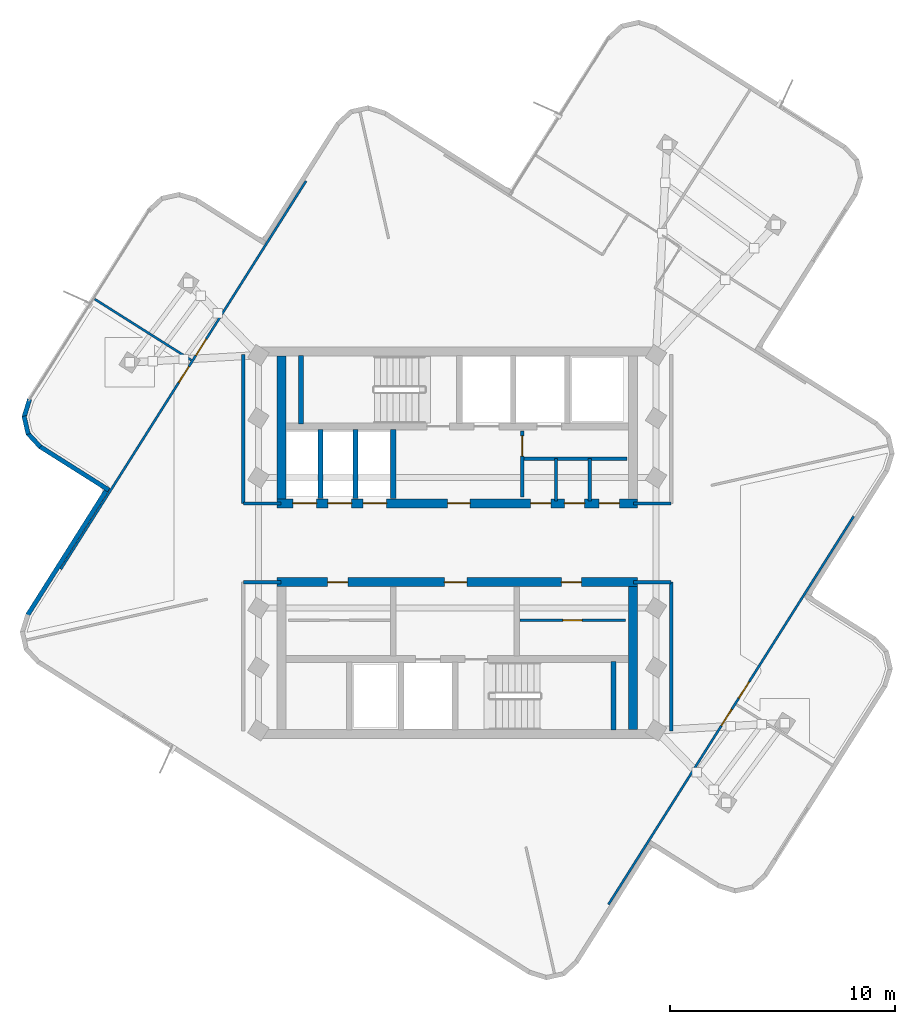
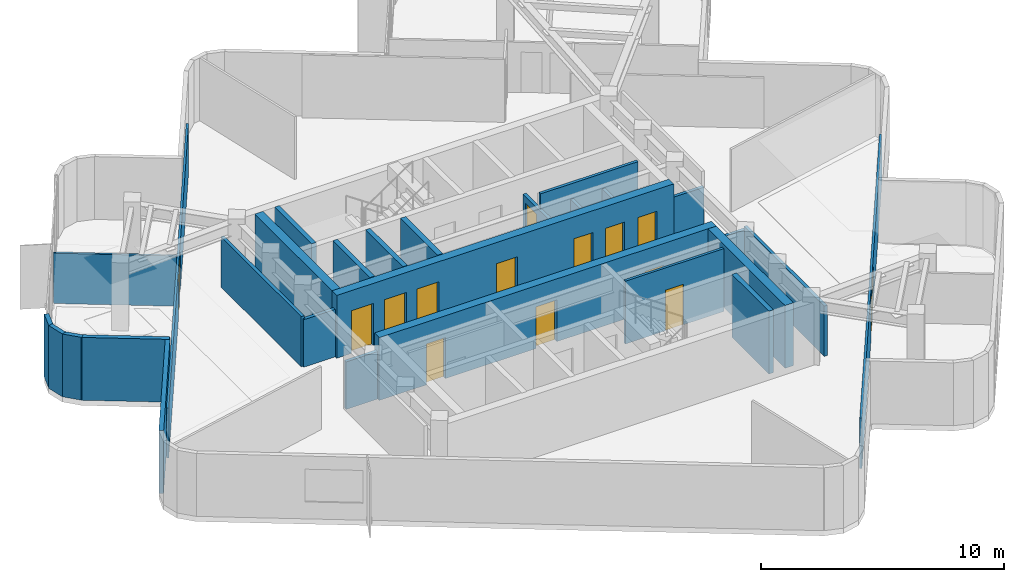
# One storey, part 6 of 10: 28 walls, 16 doors, 16 openings.
"""IFC4 building model written with IfcOpenShell, lengths in metres."""

from ifc_helpers import new_model, si_unit, direction, frame, frame_2d, origin, place, context, subcontext, project, spatial, rectangle, extrude, material, layer, layer_set, type_object, element, fill, save


model = new_model("IFC4")

# Units and contexts
model_context = context("Model", 3, precision=1e-05, world=origin(), true_north=direction((0.0, 1.0)))
body_context = subcontext(model_context, "Body", "Model", "MODEL_VIEW")
ifc_project = project(units=[si_unit("LENGTHUNIT", "METRE"), si_unit("AREAUNIT", "SQUARE_METRE"), si_unit("VOLUMEUNIT", "CUBIC_METRE"), si_unit("PLANEANGLEUNIT", "RADIAN"), si_unit("MASSUNIT", "GRAM", prefix="KILO")], contexts=[model_context])

# Site, building, storey
site_placement = place(None, origin())
site = spatial("IfcSite", under=ifc_project, at=site_placement, CompositionType="ELEMENT")
building_placement = place(site_placement, origin())
building = spatial("IfcBuilding", under=site, at=building_placement, Name="Solmarez Civic Tower", CompositionType="ELEMENT")
storey_placement = place(building_placement, frame((0.0, 0.0, 274.860107421875)))
storey = spatial("IfcBuildingStorey", under=building, at=storey_placement, Name="L74", CompositionType="ELEMENT", Elevation=274.860107421875)

# Wall, openings, doors
ifc_material_1 = material(Name="Concrete C50/60", Category="concrete")
ifc_layer_1 = layer(ifc_material_1, 0.39990234375)
ifc_layer_set_1 = layer_set([ifc_layer_1], Name="Concrete C50/60")
wall_type_1 = type_object("IfcWallType", Name="WALL-CORE-400", PredefinedType="SHEAR", material=ifc_layer_set_1)
wall_1_placement = place(storey_placement, frame((8.02001953125, 1.75, 0.0), z_axis=(0.0, 0.0, 1.0), x_axis=(-1.0, 0.0, 0.0)))
wall_1 = element("IfcWall", 1, at=wall_1_placement, inside=storey, type_object=wall_type_1, Name="L74 Split-Core Structural Wall NCW-S-L74", PredefinedType="SHEAR", context=body_context, shape_type="SweptSolid", body=[
    extrude(rectangle(XDim=16.0400390625, YDim=0.39990234375, at=frame_2d((8.02001953125, 0.0))), origin(), (0.0, 0.0, 1.0), 3.159912109375),
])
opening_1_placement = place(wall_1_placement, frame((7.449951171875, 0.0, 0.0)))
opening_1 = element("IfcOpeningElement", 2, at=opening_1_placement, cuts=wall_1, Name="Opening D-04", PredefinedType="OPENING", context=body_context, shape_type="SweptSolid", body=[
    extrude(rectangle(XDim=1.0, YDim=2.10009765625, at=frame_2d((0.5, 1.050048828125))), frame((0.0, 0.2099609375, 0.0), z_axis=(0.0, -1.0, 0.0), x_axis=(1.0, 0.0, 0.0)), (0.0, 0.0, 1.0), 0.419921875),
])
opening_2_placement = place(wall_1_placement, frame((14.284912109375, 0.0, 0.0)))
opening_2 = element("IfcOpeningElement", 3, at=opening_2_placement, cuts=wall_1, Name="Opening LD-01", PredefinedType="OPENING", context=body_context, shape_type="SweptSolid", body=[
    extrude(rectangle(XDim=1.050048828125, YDim=2.14990234375, at=frame_2d((0.52490234375, 1.074951171875))), frame((0.0, 0.2099609375, 0.0), z_axis=(0.0, -1.0, 0.0), x_axis=(1.0, 0.0, 0.0)), (0.0, 0.0, 1.0), 0.419921875),
])
opening_3_placement = place(wall_1_placement, frame((12.72509765625, 0.0, 0.0)))
opening_3 = element("IfcOpeningElement", 4, at=opening_3_placement, cuts=wall_1, Name="Opening LD-01", PredefinedType="OPENING", context=body_context, shape_type="SweptSolid", body=[
    extrude(rectangle(XDim=1.050048828125, YDim=2.14990234375, at=frame_2d((0.52490234375, 1.074951171875))), frame((0.0, 0.2099609375, 0.0), z_axis=(0.0, -1.0, 0.0), x_axis=(1.0, 0.0, 0.0)), (0.0, 0.0, 1.0), 0.419921875),
])
opening_4_placement = place(wall_1_placement, frame((11.1650390625, 0.0, 0.0)))
opening_4 = element("IfcOpeningElement", 5, at=opening_4_placement, cuts=wall_1, Name="Opening LD-01", PredefinedType="OPENING", context=body_context, shape_type="SweptSolid", body=[
    extrude(rectangle(XDim=1.050048828125, YDim=2.14990234375, at=frame_2d((0.52490234375, 1.074951171875))), frame((0.0, 0.2099609375, 0.0), z_axis=(0.0, -1.0, 0.0), x_axis=(1.0, 0.0, 0.0)), (0.0, 0.0, 1.0), 0.419921875),
])
opening_5_placement = place(wall_1_placement, frame((3.85009765625, 0.0, 0.0)))
opening_5 = element("IfcOpeningElement", 6, at=opening_5_placement, cuts=wall_1, Name="Opening D-09", PredefinedType="OPENING", context=body_context, shape_type="SweptSolid", body=[
    extrude(rectangle(XDim=0.89990234375, YDim=2.06005859375, at=frame_2d((0.449951171875, 1.030029296875))), frame((0.0, 0.2099609375, 0.0), z_axis=(0.0, -1.0, 0.0), x_axis=(1.0, 0.0, 0.0)), (0.0, 0.0, 1.0), 0.419921875),
])
opening_6_placement = place(wall_1_placement, frame((2.35009765625, 0.0, 0.0)))
opening_6 = element("IfcOpeningElement", 7, at=opening_6_placement, cuts=wall_1, Name="Opening D-09", PredefinedType="OPENING", context=body_context, shape_type="SweptSolid", body=[
    extrude(rectangle(XDim=0.89990234375, YDim=2.06005859375, at=frame_2d((0.449951171875, 1.030029296875))), frame((0.0, 0.2099609375, 0.0), z_axis=(0.0, -1.0, 0.0), x_axis=(1.0, 0.0, 0.0)), (0.0, 0.0, 1.0), 0.419921875),
])
opening_7_placement = place(wall_1_placement, frame((0.800048828125, 0.0, 0.0)))
opening_7 = element("IfcOpeningElement", 8, at=opening_7_placement, cuts=wall_1, Name="Opening D-09", PredefinedType="OPENING", context=body_context, shape_type="SweptSolid", body=[
    extrude(rectangle(XDim=0.89990234375, YDim=2.06005859375, at=frame_2d((0.449951171875, 1.030029296875))), frame((0.0, 0.2099609375, 0.0), z_axis=(0.0, -1.0, 0.0), x_axis=(1.0, 0.0, 0.0)), (0.0, 0.0, 1.0), 0.419921875),
])
ifc_material_2 = material(Name="Steel-Faced Acoustic Fire Door", Category="steel")
door_type_1 = type_object("IfcDoorType", Name="DOOR-FD60-1000", OperationType="NOTDEFINED", PredefinedType="DOOR", material=ifc_material_2)
door_1_placement = place(opening_1_placement, origin())
door_1 = element("IfcDoor", 9, at=door_1_placement, inside=storey, type_object=door_type_1, Name="L74 North Firefighting Lobby Door", OperationType="SINGLE_SWING_LEFT", OverallHeight=2.10009765625, OverallWidth=1.0, PredefinedType="DOOR", context=body_context, shape_type="SweptSolid", body=[
    extrude(rectangle(XDim=1.0, YDim=2.10009765625, at=frame_2d((0.5, 1.050048828125))), frame((0.0, 0.02490234375, 0.0), z_axis=(0.0, -1.0, 0.0), x_axis=(1.0, 0.0, 0.0)), (0.0, 0.0, 1.0), 0.050048828125),
])
fill(opening_1, door_1)
ifc_material_3 = material(Name="Fire-Rated Service Core Door", Category="wood")
door_type_2 = type_object("IfcDoorType", Name="DOOR-FD60-900", OperationType="NOTDEFINED", PredefinedType="DOOR", material=ifc_material_3)
door_2_placement = place(opening_5_placement, origin())
door_2 = element("IfcDoor", 10, at=door_2_placement, inside=storey, type_object=door_type_2, Name="L74 Core WC Door", OperationType="SINGLE_SWING_RIGHT", OverallHeight=2.06005859375, OverallWidth=0.89990234375, PredefinedType="DOOR", context=body_context, shape_type="SweptSolid", body=[
    extrude(rectangle(XDim=0.89990234375, YDim=2.06005859375, at=frame_2d((0.449951171875, 1.030029296875))), frame((0.0, 0.02490234375, 0.0), z_axis=(0.0, -1.0, 0.0), x_axis=(1.0, 0.0, 0.0)), (0.0, 0.0, 1.0), 0.050048828125),
])
fill(opening_5, door_2)
door_3_placement = place(opening_6_placement, origin())
door_3 = element("IfcDoor", 11, at=door_3_placement, inside=storey, type_object=door_type_2, Name="L74 Core CL Door", OperationType="SINGLE_SWING_LEFT", OverallHeight=2.06005859375, OverallWidth=0.89990234375, PredefinedType="DOOR", context=body_context, shape_type="SweptSolid", body=[
    extrude(rectangle(XDim=0.89990234375, YDim=2.06005859375, at=frame_2d((0.449951171875, 1.030029296875))), frame((0.0, 0.02490234375, 0.0), z_axis=(0.0, -1.0, 0.0), x_axis=(1.0, 0.0, 0.0)), (0.0, 0.0, 1.0), 0.050048828125),
])
fill(opening_6, door_3)
door_4_placement = place(opening_7_placement, origin())
door_4 = element("IfcDoor", 12, at=door_4_placement, inside=storey, type_object=door_type_2, Name="L74 Core IT Door", OperationType="SINGLE_SWING_LEFT", OverallHeight=2.06005859375, OverallWidth=0.89990234375, PredefinedType="DOOR", context=body_context, shape_type="SweptSolid", body=[
    extrude(rectangle(XDim=0.89990234375, YDim=2.06005859375, at=frame_2d((0.449951171875, 1.030029296875))), frame((0.0, 0.02490234375, 0.0), z_axis=(0.0, -1.0, 0.0), x_axis=(1.0, 0.0, 0.0)), (0.0, 0.0, 1.0), 0.050048828125),
])
fill(opening_7, door_4)
ifc_material_4 = material(Name="Bronze Passenger Lift Landing Sliding Door", Category="aluminium")
door_type_3 = type_object("IfcDoorType", Name="DOOR-LD-PAX-1050", OperationType="DOUBLE_DOOR_SLIDING", PredefinedType="DOOR", material=ifc_material_4)
door_5_placement = place(opening_2_placement, origin())
door_5 = element("IfcDoor", 13, at=door_5_placement, inside=storey, type_object=door_type_3, Name="L74 High-Rise Lift Landing Door PL-H1", OperationType="DOUBLE_DOOR_SLIDING", OverallHeight=2.14990234375, OverallWidth=1.050048828125, PredefinedType="DOOR", context=body_context, shape_type="SweptSolid", body=[
    extrude(rectangle(XDim=1.050048828125, YDim=2.14990234375, at=frame_2d((0.52490234375, 1.074951171875))), frame((0.0, 0.02490234375, 0.0), z_axis=(0.0, -1.0, 0.0), x_axis=(1.0, 0.0, 0.0)), (0.0, 0.0, 1.0), 0.050048828125),
])
fill(opening_2, door_5)
door_6_placement = place(opening_3_placement, origin())
door_6 = element("IfcDoor", 14, at=door_6_placement, inside=storey, type_object=door_type_3, Name="L74 High-Rise Lift Landing Door PL-H2", OperationType="DOUBLE_DOOR_SLIDING", OverallHeight=2.14990234375, OverallWidth=1.050048828125, PredefinedType="DOOR", context=body_context, shape_type="SweptSolid", body=[
    extrude(rectangle(XDim=1.050048828125, YDim=2.14990234375, at=frame_2d((0.52490234375, 1.074951171875))), frame((0.0, 0.02490234375, 0.0), z_axis=(0.0, -1.0, 0.0), x_axis=(1.0, 0.0, 0.0)), (0.0, 0.0, 1.0), 0.050048828125),
])
fill(opening_3, door_6)
door_7_placement = place(opening_4_placement, origin())
door_7 = element("IfcDoor", 15, at=door_7_placement, inside=storey, type_object=door_type_3, Name="L74 High-Rise Lift Landing Door PL-H3", OperationType="DOUBLE_DOOR_SLIDING", OverallHeight=2.14990234375, OverallWidth=1.050048828125, PredefinedType="DOOR", context=body_context, shape_type="SweptSolid", body=[
    extrude(rectangle(XDim=1.050048828125, YDim=2.14990234375, at=frame_2d((0.52490234375, 1.074951171875))), frame((0.0, 0.02490234375, 0.0), z_axis=(0.0, -1.0, 0.0), x_axis=(1.0, 0.0, 0.0)), (0.0, 0.0, 1.0), 0.050048828125),
])
fill(opening_4, door_7)

# Wall
wall_2_placement = place(storey_placement, frame((-7.820068359375, 1.949951171875, 0.0), z_axis=(0.0, 0.0, 1.0), x_axis=(0.0, 1.0, 0.0)))
element("IfcWall", 16, at=wall_2_placement, inside=storey, type_object=wall_type_1, Name="L74 Split-Core Structural Wall NCW-W-L74", PredefinedType="SHEAR", context=body_context, shape_type="SweptSolid", body=[
    extrude(rectangle(XDim=6.360107421875, YDim=0.39990234375, at=frame_2d((3.18017578125, 0.0))), origin(), (0.0, 0.0, 1.0), 3.159912109375),
])

# Wall, openings, doors
wall_3_placement = place(storey_placement, frame((-8.02001953125, -1.75, 0.0), z_axis=(0.0, 0.0, 1.0), x_axis=(1.0, 0.0, 0.0)))
wall_3 = element("IfcWall", 17, at=wall_3_placement, inside=storey, type_object=wall_type_1, Name="L74 Split-Core Structural Wall SCW-N-L74", PredefinedType="SHEAR", context=body_context, shape_type="SweptSolid", body=[
    extrude(rectangle(XDim=16.0400390625, YDim=0.39990234375, at=frame_2d((8.02001953125, 0.0))), origin(), (0.0, 0.0, 1.0), 3.159912109375),
])
opening_8_placement = place(wall_3_placement, frame((7.449951171875, 0.0, 0.0)))
opening_8 = element("IfcOpeningElement", 18, at=opening_8_placement, cuts=wall_3, Name="Opening D-04", PredefinedType="OPENING", context=body_context, shape_type="SweptSolid", body=[
    extrude(rectangle(XDim=1.0, YDim=2.10009765625, at=frame_2d((0.5, 1.050048828125))), frame((0.0, 0.2099609375, 0.0), z_axis=(0.0, -1.0, 0.0), x_axis=(1.0, 0.0, 0.0)), (0.0, 0.0, 1.0), 0.419921875),
])
opening_9_placement = place(wall_3_placement, frame((12.64990234375, 0.0, 0.0)))
opening_9 = element("IfcOpeningElement", 19, at=opening_9_placement, cuts=wall_3, Name="Opening D-09", PredefinedType="OPENING", context=body_context, shape_type="SweptSolid", body=[
    extrude(rectangle(XDim=0.89990234375, YDim=2.06005859375, at=frame_2d((0.449951171875, 1.030029296875))), frame((0.0, 0.2099609375, 0.0), z_axis=(0.0, -1.0, 0.0), x_axis=(1.0, 0.0, 0.0)), (0.0, 0.0, 1.0), 0.419921875),
])
opening_10_placement = place(wall_3_placement, frame((2.25, 0.0, 0.0)))
opening_10 = element("IfcOpeningElement", 20, at=opening_10_placement, cuts=wall_3, Name="Opening D-09", PredefinedType="OPENING", context=body_context, shape_type="SweptSolid", body=[
    extrude(rectangle(XDim=0.89990234375, YDim=2.06005859375, at=frame_2d((0.449951171875, 1.030029296875))), frame((0.0, 0.2099609375, 0.0), z_axis=(0.0, -1.0, 0.0), x_axis=(1.0, 0.0, 0.0)), (0.0, 0.0, 1.0), 0.419921875),
])
door_8_placement = place(opening_8_placement, origin())
door_8 = element("IfcDoor", 21, at=door_8_placement, inside=storey, type_object=door_type_1, Name="L74 South Firefighting Lobby Door", OperationType="SINGLE_SWING_RIGHT", OverallHeight=2.10009765625, OverallWidth=1.0, PredefinedType="DOOR", context=body_context, shape_type="SweptSolid", body=[
    extrude(rectangle(XDim=1.0, YDim=2.10009765625, at=frame_2d((0.5, 1.050048828125))), frame((0.0, 0.02490234375, 0.0), z_axis=(0.0, -1.0, 0.0), x_axis=(1.0, 0.0, 0.0)), (0.0, 0.0, 1.0), 0.050048828125),
])
fill(opening_8, door_8)
door_9_placement = place(opening_9_placement, origin())
door_9 = element("IfcDoor", 22, at=door_9_placement, inside=storey, type_object=door_type_2, Name="L74 Freed Hoistway Mailroom Door", OperationType="SINGLE_SWING_LEFT", OverallHeight=2.06005859375, OverallWidth=0.89990234375, PredefinedType="DOOR", context=body_context, shape_type="SweptSolid", body=[
    extrude(rectangle(XDim=0.89990234375, YDim=2.06005859375, at=frame_2d((0.449951171875, 1.030029296875))), frame((0.0, 0.02490234375, 0.0), z_axis=(0.0, -1.0, 0.0), x_axis=(1.0, 0.0, 0.0)), (0.0, 0.0, 1.0), 0.050048828125),
])
fill(opening_9, door_9)
door_10_placement = place(opening_10_placement, origin())
door_10 = element("IfcDoor", 23, at=door_10_placement, inside=storey, type_object=door_type_2, Name="L74 Staff Kitchenette Pantry Door", OperationType="SINGLE_SWING_RIGHT", OverallHeight=2.06005859375, OverallWidth=0.89990234375, PredefinedType="DOOR", context=body_context, shape_type="SweptSolid", body=[
    extrude(rectangle(XDim=0.89990234375, YDim=2.06005859375, at=frame_2d((0.449951171875, 1.030029296875))), frame((0.0, 0.02490234375, 0.0), z_axis=(0.0, -1.0, 0.0), x_axis=(1.0, 0.0, 0.0)), (0.0, 0.0, 1.0), 0.050048828125),
])
fill(opening_10, door_10)

# Walls
wall_4_placement = place(storey_placement, frame((7.820068359375, -1.949951171875, 0.0), z_axis=(0.0, 0.0, 1.0), x_axis=(0.0, -1.0, 0.0)))
element("IfcWall", 24, at=wall_4_placement, inside=storey, type_object=wall_type_1, Name="L74 Split-Core Structural Wall SCW-E-L74", PredefinedType="SHEAR", context=body_context, shape_type="SweptSolid", body=[
    extrude(rectangle(XDim=6.360107421875, YDim=0.39990234375, at=frame_2d((3.18017578125, 0.0))), origin(), (0.0, 0.0, 1.0), 3.159912109375),
])
ifc_material_5 = material(Name="Precast concrete C40/50", Category="concrete")
ifc_layer_2 = layer(ifc_material_5, 0.199951171875)
ifc_layer_set_2 = layer_set([ifc_layer_2], Name="Precast concrete C40/50")
wall_type_2 = type_object("IfcWallType", Name="WALL-EXT-200", PredefinedType="SOLIDWALL", material=ifc_layer_set_2)
wall_5_placement = place(storey_placement, frame((-19.138916015625, -3.240966796875, 0.0), z_axis=(0.0, 0.0, 1.0), x_axis=(0.534084270085, 0.845431246435, 0.0)))
element("IfcWall", 25, at=wall_5_placement, inside=storey, type_object=wall_type_2, Name="L74 Exterior Precast Wall 10", PredefinedType="SOLIDWALL", context=body_context, shape_type="SweptSolid", body=[
    extrude(rectangle(XDim=6.741943359375, YDim=0.199951171875, at=frame_2d((3.37109375, 0.0))), origin(), (0.0, 0.0, 1.0), 3.159912109375),
])
wall_6_placement = place(storey_placement, frame((-15.512939453125, 2.347900390625, 0.0), z_axis=(0.0, 0.0, 1.0), x_axis=(-0.8454427056, 0.534066130313, 0.0)))
element("IfcWall", 26, at=wall_6_placement, inside=storey, type_object=wall_type_2, Name="L74 Exterior Precast Wall 13", PredefinedType="SOLIDWALL", context=body_context, shape_type="SweptSolid", body=[
    extrude(rectangle(XDim=3.64208984375, YDim=0.199951171875, at=frame_2d((1.821044921875, 0.0))), origin(), (0.0, 0.0, 1.0), 3.159912109375),
])
wall_7_placement = place(storey_placement, frame((-18.553955078125, 4.261962890625, 0.0), z_axis=(0.0, 0.0, 1.0), x_axis=(-0.679187212508, 0.73396507435, 0.0)))
element("IfcWall", 27, at=wall_7_placement, inside=storey, type_object=wall_type_2, Name="L74 Exterior Precast Wall 14", PredefinedType="SOLIDWALL", context=body_context, shape_type="SweptSolid", body=[
    extrude(rectangle(XDim=0.837890625, YDim=0.199951171875, at=frame_2d((0.4189453125, 0.0))), origin(), (0.0, 0.0, 1.0), 3.159912109375),
])
wall_8_placement = place(storey_placement, frame((-19.10009765625, 4.8349609375, 0.0), z_axis=(0.0, 0.0, 1.0), x_axis=(-0.222043922605, 0.975036664149, 0.0)))
element("IfcWall", 28, at=wall_8_placement, inside=storey, type_object=wall_type_2, Name="L74 Exterior Precast Wall 15", PredefinedType="SOLIDWALL", context=body_context, shape_type="SweptSolid", body=[
    extrude(rectangle(XDim=0.823486328125, YDim=0.199951171875, at=frame_2d((0.41162109375, 0.0))), origin(), (0.0, 0.0, 1.0), 3.159912109375),
])
wall_9_placement = place(storey_placement, frame((-19.283935546875, 5.590087890625, 0.0), z_axis=(0.0, 0.0, 1.0), x_axis=(0.295803919306, 0.955248680357, 0.0)))
element("IfcWall", 29, at=wall_9_placement, inside=storey, type_object=wall_type_2, Name="L74 Exterior Precast Wall 16", PredefinedType="SOLIDWALL", context=body_context, shape_type="SweptSolid", body=[
    extrude(rectangle(XDim=0.838623046875, YDim=0.199951171875, at=frame_2d((0.41943359375, 0.0))), origin(), (0.0, 0.0, 1.0), 3.159912109375),
])
ifc_material_6 = material(Name="Gypsum Board Acoustic Steel-Stud Partition", Category="steel")
ifc_layer_3 = layer(ifc_material_6, 0.14990234375)
ifc_layer_set_3 = layer_set([ifc_layer_3], Name="Gypsum Board Acoustic Steel-Stud Partition")
wall_type_3 = type_object("IfcWallType", Name="WALL-INT-FIRE-150", PredefinedType="PARTITIONING", material=ifc_layer_set_3)
wall_10_placement = place(storey_placement, frame((-9.52001953125, 1.75, 0.0), z_axis=(0.0, 0.0, 1.0), x_axis=(0.0, 1.0, 0.0)))
element("IfcWall", 30, at=wall_10_placement, inside=storey, type_object=wall_type_3, Name="L74 Interior Partition CHW-L74-WN1", PredefinedType="PARTITIONING", context=body_context, shape_type="SweptSolid", body=[
    extrude(rectangle(XDim=6.6298828125, YDim=0.14990234375, at=frame_2d((3.31494140625, 0.0))), origin(), (0.0, 0.0, 1.0), 2.52978515625),
])
for number, where, z_axis, x_axis, name in (
    (31, (-7.85009765625, 1.75, 0.0), (0.0, 0.0, 1.0), (-1.0, 0.0, 0.0), "L74 Interior Partition CHW-L74-WN3"),
    (32, (-7.85009765625, -1.75, 0.0), (0.0, 0.0, 1.0), (-1.0, 0.0, 0.0), "L74 Interior Partition CHW-L74-WS3"),
    (33, (7.85009765625, 1.75, 0.0), (0.0, 0.0, 1.0), (1.0, 0.0, 0.0), "L74 Interior Partition CHW-L74-EN3"),
):
    element("IfcWall", number, at=place(storey_placement, frame(where, z_axis=z_axis, x_axis=x_axis)), inside=storey, type_object=wall_type_3, Name=name, PredefinedType="PARTITIONING", context=body_context, shape_type="SweptSolid", body=[
        extrude(rectangle(XDim=1.669921875, YDim=0.14990234375, at=frame_2d((0.8349609375, 0.0))), origin(), (0.0, 0.0, 1.0), 2.389892578125),
    ])
wall_11_placement = place(storey_placement, frame((9.52001953125, -8.3798828125, 0.0), z_axis=(0.0, 0.0, 1.0), x_axis=(0.0, 1.0, 0.0)))
element("IfcWall", 34, at=wall_11_placement, inside=storey, type_object=wall_type_3, Name="L74 Interior Partition CHW-L74-ES1", PredefinedType="PARTITIONING", context=body_context, shape_type="SweptSolid", body=[
    extrude(rectangle(XDim=6.6298828125, YDim=0.14990234375, at=frame_2d((3.31494140625, 0.0))), origin(), (0.0, 0.0, 1.0), 2.52978515625),
])
wall_12_placement = place(storey_placement, frame((7.85009765625, -1.75, 0.0), z_axis=(0.0, 0.0, 1.0), x_axis=(1.0, 0.0, 0.0)))
element("IfcWall", 35, at=wall_12_placement, inside=storey, type_object=wall_type_3, Name="L74 Interior Partition CHW-L74-ES3", PredefinedType="PARTITIONING", context=body_context, shape_type="SweptSolid", body=[
    extrude(rectangle(XDim=1.669921875, YDim=0.14990234375, at=frame_2d((0.8349609375, 0.0))), origin(), (0.0, 0.0, 1.0), 2.389892578125),
])
ifc_layer_4 = layer(ifc_material_6, 0.10009765625)
ifc_layer_set_4 = layer_set([ifc_layer_4], Name="Gypsum Board Acoustic Steel-Stud Partition")
wall_type_4 = type_object("IfcWallType", Name="WALL-INT-PART-100", PredefinedType="PARTITIONING", material=ifc_layer_set_4)
wall_13_placement = place(storey_placement, frame((-11.837890625, 8.12890625, 0.0), z_axis=(0.0, 0.0, 1.0), x_axis=(-0.845412458252, 0.53411400977, 0.0)))
element("IfcWall", 36, at=wall_13_placement, inside=storey, type_object=wall_type_4, Name="L74 Interior Partition PT-L74-N-ALM", PredefinedType="PARTITIONING", context=body_context, shape_type="SweptSolid", body=[
    extrude(rectangle(XDim=5.085205078125, YDim=0.10009765625, at=frame_2d((2.54248046875, 0.0))), origin(), (0.0, 0.0, 1.0), 2.52978515625),
])

# Wall, openings, doors
wall_14_placement = place(storey_placement, frame((-17.64599609375, -1.177978515625, 0.0), z_axis=(0.0, 0.0, 1.0), x_axis=(0.534052309352, 0.845451436143, 0.0)))
wall_14 = element("IfcWall", 37, at=wall_14_placement, inside=storey, type_object=wall_type_4, Name="L74 Interior Partition PT-L74-N-ENT", PredefinedType="PARTITIONING", context=body_context, shape_type="SweptSolid", body=[
    extrude(rectangle(XDim=20.43994140625, YDim=0.10009765625, at=frame_2d((10.219970703125, 0.0))), origin(), (0.0, 0.0, 1.0), 2.52978515625),
])
opening_11_placement = place(wall_14_placement, frame((11.259033203125, 0.0, 0.0)))
opening_11 = element("IfcOpeningElement", 38, at=opening_11_placement, cuts=wall_14, Name="Opening D-14", PredefinedType="OPENING", context=body_context, shape_type="SweptSolid", body=[
    extrude(rectangle(XDim=0.860107421875, YDim=2.0400390625, at=frame_2d((0.43017578125, 1.02001953125))), frame((0.0, 0.06005859375, 0.0), z_axis=(0.0, -1.0, 0.0), x_axis=(1.0, 0.0, 0.0)), (0.0, 0.0, 1.0), 0.1201171875),
])
opening_12_placement = place(wall_14_placement, frame((9.819091796875, 0.0, 0.0)))
opening_12 = element("IfcOpeningElement", 39, at=opening_12_placement, cuts=wall_14, Name="Opening D-14", PredefinedType="OPENING", context=body_context, shape_type="SweptSolid", body=[
    extrude(rectangle(XDim=0.860107421875, YDim=2.0400390625, at=frame_2d((0.43017578125, 1.02001953125))), frame((0.0, 0.06005859375, 0.0), z_axis=(0.0, -1.0, 0.0), x_axis=(1.0, 0.0, 0.0)), (0.0, 0.0, 1.0), 0.1201171875),
])
ifc_material_7 = material(Name="Timber Storage and Pantry Door", Category="wood")
door_type_4 = type_object("IfcDoorType", Name="DOOR-INT-850", OperationType="NOTDEFINED", PredefinedType="DOOR", material=ifc_material_7)
door_11_placement = place(opening_11_placement, origin())
door_11 = element("IfcDoor", 40, at=door_11_placement, inside=storey, type_object=door_type_4, Name="L74 Press Study Room Second North Door", OperationType="SINGLE_SWING_RIGHT", OverallHeight=2.0400390625, OverallWidth=0.860107421875, PredefinedType="DOOR", context=body_context, shape_type="SweptSolid", body=[
    extrude(rectangle(XDim=0.860107421875, YDim=2.0400390625, at=frame_2d((0.43017578125, 1.02001953125))), frame((0.0, 0.02490234375, 0.0), z_axis=(0.0, -1.0, 0.0), x_axis=(1.0, 0.0, 0.0)), (0.0, 0.0, 1.0), 0.050048828125),
])
fill(opening_11, door_11)
door_12_placement = place(opening_12_placement, origin())
door_12 = element("IfcDoor", 41, at=door_12_placement, inside=storey, type_object=door_type_4, Name="L74 Civic Lecture Classroom First North Door", OperationType="SINGLE_SWING_LEFT", OverallHeight=2.0400390625, OverallWidth=0.860107421875, PredefinedType="DOOR", context=body_context, shape_type="SweptSolid", body=[
    extrude(rectangle(XDim=0.860107421875, YDim=2.0400390625, at=frame_2d((0.43017578125, 1.02001953125))), frame((0.0, 0.02490234375, 0.0), z_axis=(0.0, -1.0, 0.0), x_axis=(1.0, 0.0, 0.0)), (0.0, 0.0, 1.0), 0.050048828125),
])
fill(opening_12, door_12)

wall_15_placement = place(storey_placement, frame((17.64599609375, 1.177978515625, 0.0), z_axis=(0.0, 0.0, 1.0), x_axis=(-0.534052309352, -0.845451436143, 0.0)))
wall_15 = element("IfcWall", 42, at=wall_15_placement, inside=storey, type_object=wall_type_4, Name="L74 Interior Partition PT-L74-S-ENT", PredefinedType="PARTITIONING", context=body_context, shape_type="SweptSolid", body=[
    extrude(rectangle(XDim=20.43994140625, YDim=0.10009765625, at=frame_2d((10.219970703125, 0.0))), origin(), (0.0, 0.0, 1.0), 2.52978515625),
])
opening_13_placement = place(wall_15_placement, frame((10.158935546875, 0.0, 0.0)))
opening_13 = element("IfcOpeningElement", 43, at=opening_13_placement, cuts=wall_15, Name="Opening D-14", PredefinedType="OPENING", context=body_context, shape_type="SweptSolid", body=[
    extrude(rectangle(XDim=0.860107421875, YDim=2.0400390625, at=frame_2d((0.43017578125, 1.02001953125))), frame((0.0, 0.06005859375, 0.0), z_axis=(0.0, -1.0, 0.0), x_axis=(1.0, 0.0, 0.0)), (0.0, 0.0, 1.0), 0.1201171875),
])
opening_14_placement = place(wall_15_placement, frame((8.718994140625, 0.0, 0.0)))
opening_14 = element("IfcOpeningElement", 44, at=opening_14_placement, cuts=wall_15, Name="Opening D-14", PredefinedType="OPENING", context=body_context, shape_type="SweptSolid", body=[
    extrude(rectangle(XDim=0.860107421875, YDim=2.0400390625, at=frame_2d((0.43017578125, 1.02001953125))), frame((0.0, 0.06005859375, 0.0), z_axis=(0.0, -1.0, 0.0), x_axis=(1.0, 0.0, 0.0)), (0.0, 0.0, 1.0), 0.1201171875),
])
door_13_placement = place(opening_13_placement, origin())
door_13 = element("IfcDoor", 45, at=door_13_placement, inside=storey, type_object=door_type_4, Name="L74 Public Exhibition Library Second South Door", OperationType="SINGLE_SWING_RIGHT", OverallHeight=2.0400390625, OverallWidth=0.860107421875, PredefinedType="DOOR", context=body_context, shape_type="SweptSolid", body=[
    extrude(rectangle(XDim=0.860107421875, YDim=2.0400390625, at=frame_2d((0.43017578125, 1.02001953125))), frame((0.0, 0.02490234375, 0.0), z_axis=(0.0, -1.0, 0.0), x_axis=(1.0, 0.0, 0.0)), (0.0, 0.0, 1.0), 0.050048828125),
])
fill(opening_13, door_13)
door_14_placement = place(opening_14_placement, origin())
door_14 = element("IfcDoor", 46, at=door_14_placement, inside=storey, type_object=door_type_4, Name="L74 Catering Pantry First South Door", OperationType="SINGLE_SWING_LEFT", OverallHeight=2.0400390625, OverallWidth=0.860107421875, PredefinedType="DOOR", context=body_context, shape_type="SweptSolid", body=[
    extrude(rectangle(XDim=0.860107421875, YDim=2.0400390625, at=frame_2d((0.43017578125, 1.02001953125))), frame((0.0, 0.02490234375, 0.0), z_axis=(0.0, -1.0, 0.0), x_axis=(1.0, 0.0, 0.0)), (0.0, 0.0, 1.0), 0.050048828125),
])
fill(opening_14, door_14)

# Wall, opening, door
ifc_layer_5 = layer(ifc_material_6, 0.1201171875)
ifc_layer_set_5 = layer_set([ifc_layer_5], Name="Gypsum Board Acoustic Steel-Stud Partition")
wall_type_5 = type_object("IfcWallType", Name="WALL-INT-PART-120", PredefinedType="PARTITIONING", material=ifc_layer_set_5)
wall_16_placement = place(storey_placement, frame((2.800048828125, -3.449951171875, 0.0), z_axis=(0.0, 0.0, 1.0), x_axis=(1.0, 0.0, 0.0)))
wall_16 = element("IfcWall", 47, at=wall_16_placement, inside=storey, type_object=wall_type_5, Name="L74 Interior Partition PT-FPLL-L74", PredefinedType="PARTITIONING", context=body_context, shape_type="SweptSolid", body=[
    extrude(rectangle(XDim=4.679931640625, YDim=0.1201171875, at=frame_2d((2.33984375, 0.0))), origin(), (0.0, 0.0, 1.0), 3.159912109375),
])
opening_15_placement = place(wall_16_placement, frame((1.89990234375, 0.0, 0.0)))
opening_15 = element("IfcOpeningElement", 48, at=opening_15_placement, cuts=wall_16, Name="Opening D-14", PredefinedType="OPENING", context=body_context, shape_type="SweptSolid", body=[
    extrude(rectangle(XDim=0.860107421875, YDim=2.0400390625, at=frame_2d((0.43017578125, 1.02001953125))), frame((0.0, 0.070068359375, 0.0), z_axis=(0.0, -1.0, 0.0), x_axis=(1.0, 0.0, 0.0)), (0.0, 0.0, 1.0), 0.14013671875),
])
door_15_placement = place(opening_15_placement, origin())
door_15 = element("IfcDoor", 49, at=door_15_placement, inside=storey, type_object=door_type_4, Name="L74 Records Filing Room Door", OperationType="SINGLE_SWING_LEFT", OverallHeight=2.0400390625, OverallWidth=0.860107421875, PredefinedType="DOOR", context=body_context, shape_type="SweptSolid", body=[
    extrude(rectangle(XDim=0.860107421875, YDim=2.0400390625, at=frame_2d((0.43017578125, 1.02001953125))), frame((0.0, 0.02490234375, 0.0), z_axis=(0.0, -1.0, 0.0), x_axis=(1.0, 0.0, 0.0)), (0.0, 0.0, 1.0), 0.050048828125),
])
fill(opening_15, door_15)

ifc_layer_6 = layer(ifc_material_6, 0.159912109375)
ifc_layer_set_6 = layer_set([ifc_layer_6], Name="Gypsum Board Acoustic Steel-Stud Partition")
wall_type_6 = type_object("IfcWallType", Name="WALL-INT-SHAFT-160", PredefinedType="PARTITIONING", material=ifc_layer_set_6)
wall_17_placement = place(storey_placement, frame((2.89990234375, 2.0400390625, 0.0), z_axis=(0.0, 0.0, 1.0), x_axis=(0.0, 1.0, 0.0)))
wall_17 = element("IfcWall", 50, at=wall_17_placement, inside=storey, type_object=wall_type_6, Name="L74 Interior Partition SHW-NL2-L74", PredefinedType="PARTITIONING", context=body_context, shape_type="SweptSolid", body=[
    extrude(rectangle(XDim=2.93994140625, YDim=0.159912109375, at=frame_2d((1.469970703125, 0.0))), origin(), (0.0, 0.0, 1.0), 2.389892578125),
])
opening_16_placement = place(wall_17_placement, frame((1.820068359375, 0.0, 0.0)))
opening_16 = element("IfcOpeningElement", 51, at=opening_16_placement, cuts=wall_17, Name="Opening D-09", PredefinedType="OPENING", context=body_context, shape_type="SweptSolid", body=[
    extrude(rectangle(XDim=0.89990234375, YDim=2.06005859375, at=frame_2d((0.449951171875, 1.030029296875))), frame((0.0, 0.08984375, 0.0), z_axis=(0.0, -1.0, 0.0), x_axis=(1.0, 0.0, 0.0)), (0.0, 0.0, 1.0), 0.179931640625),
])
door_16_placement = place(opening_16_placement, origin())
door_16 = element("IfcDoor", 52, at=door_16_placement, inside=storey, type_object=door_type_2, Name="L74 Service Lift Lobby Door", OperationType="SINGLE_SWING_LEFT", OverallHeight=2.06005859375, OverallWidth=0.89990234375, PredefinedType="DOOR", context=body_context, shape_type="SweptSolid", body=[
    extrude(rectangle(XDim=0.89990234375, YDim=2.06005859375, at=frame_2d((0.449951171875, 1.030029296875))), frame((0.0, 0.02490234375, 0.0), z_axis=(0.0, -1.0, 0.0), x_axis=(1.0, 0.0, 0.0)), (0.0, 0.0, 1.0), 0.050048828125),
])
fill(opening_16, door_16)

# Walls
ifc_layer_7 = layer(ifc_material_6, 0.137939453125)
ifc_layer_set_7 = layer_set([ifc_layer_7], Name="Gypsum Board Acoustic Steel-Stud Partition")
wall_type_7 = type_object("IfcWallType", Name="WALL-INT-WET-140", PredefinedType="PARTITIONING", material=ifc_layer_set_7)
wall_18_placement = place(storey_placement, frame((2.89990234375, 3.739990234375, 0.0), z_axis=(0.0, 0.0, 1.0), x_axis=(1.0, 0.0, 0.0)))
element("IfcWall", 53, at=wall_18_placement, inside=storey, type_object=wall_type_7, Name="L74 Interior Partition SHW-SVH-L74", PredefinedType="PARTITIONING", context=body_context, shape_type="SweptSolid", body=[
    extrude(rectangle(XDim=4.650146484375, YDim=0.137939453125, at=frame_2d((2.3251953125, 0.0))), origin(), (0.0, 0.0, 1.0), 3.159912109375),
])
for number, where, z_axis, x_axis, name in (
    (54, (4.39990234375, 1.85009765625, 0.0), (0.0, 0.0, 1.0), (0.0, 1.0, 0.0), "L74 Interior Partition PT-NCSV1-L74"),
    (55, (5.89990234375, 1.85009765625, 0.0), (0.0, 0.0, 1.0), (0.0, 1.0, 0.0), "L74 Interior Partition PT-NCSV2-L74"),
):
    element("IfcWall", number, at=place(storey_placement, frame(where, z_axis=z_axis, x_axis=x_axis)), inside=storey, type_object=wall_type_7, Name=name, PredefinedType="PARTITIONING", context=body_context, shape_type="SweptSolid", body=[
        extrude(rectangle(XDim=1.889892578125, YDim=0.137939453125, at=frame_2d((0.94482421875, 0.0))), origin(), (0.0, 0.0, 1.0), 2.389892578125),
    ])
ifc_layer_8 = layer(ifc_material_1, 0.300048828125)
ifc_layer_set_8 = layer_set([ifc_layer_8], Name="Concrete C50/60")
wall_type_8 = type_object("IfcWallType", Name="WALL-STR-300", PredefinedType="SOLIDWALL", material=ifc_layer_set_8)
for number, where, z_axis, x_axis, name in (
    (56, (-6.949951171875, 5.280029296875, 0.0), (0.0, 0.0, 1.0), (0.0, 1.0, 0.0), "L74 Split-Core Structural Wall SHW-NW-L74"),
    (57, (6.949951171875, -8.340087890625, 0.0), (0.0, 0.0, 1.0), (0.0, 1.0, 0.0), "L74 Split-Core Structural Wall SHW-SE-L74"),
):
    element("IfcWall", number, at=place(storey_placement, frame(where, z_axis=z_axis, x_axis=x_axis)), inside=storey, type_object=wall_type_8, Name=name, PredefinedType="SOLIDWALL", context=body_context, shape_type="SweptSolid", body=[
        extrude(rectangle(XDim=3.06005859375, YDim=0.219970703125, at=frame_2d((1.530029296875, 0.0))), origin(), (0.0, 0.0, 1.0), 3.159912109375),
    ])
wall_19_placement = place(storey_placement, frame((-2.85009765625, 1.97998046875, 0.0), z_axis=(0.0, 0.0, 1.0), x_axis=(0.0, 1.0, 0.0)))
element("IfcWall", 58, at=wall_19_placement, inside=storey, type_object=wall_type_8, Name="L74 Split-Core Structural Wall SHW-NL1-L74", PredefinedType="SOLIDWALL", context=body_context, shape_type="SweptSolid", body=[
    extrude(rectangle(XDim=3.070068359375, YDim=0.25, at=frame_2d((1.53515625, 0.0))), origin(), (0.0, 0.0, 1.0), 3.159912109375),
])
for number, where, z_axis, x_axis, name in (
    (59, (-6.080078125, 1.97998046875, 0.0), (0.0, 0.0, 1.0), (0.0, 1.0, 0.0), "L74 Split-Core Structural Wall SHW-PLH-L74-1"),
    (60, (-4.52001953125, 1.97998046875, 0.0), (0.0, 0.0, 1.0), (0.0, 1.0, 0.0), "L74 Split-Core Structural Wall SHW-PLH-L74-2"),
):
    element("IfcWall", number, at=place(storey_placement, frame(where, z_axis=z_axis, x_axis=x_axis)), inside=storey, type_object=wall_type_8, Name=name, PredefinedType="SOLIDWALL", context=body_context, shape_type="SweptSolid", body=[
        extrude(rectangle(XDim=3.070068359375, YDim=0.219970703125, at=frame_2d((1.53515625, 0.0))), origin(), (0.0, 0.0, 1.0), 3.159912109375),
    ])

save(model, "model.ifc")
